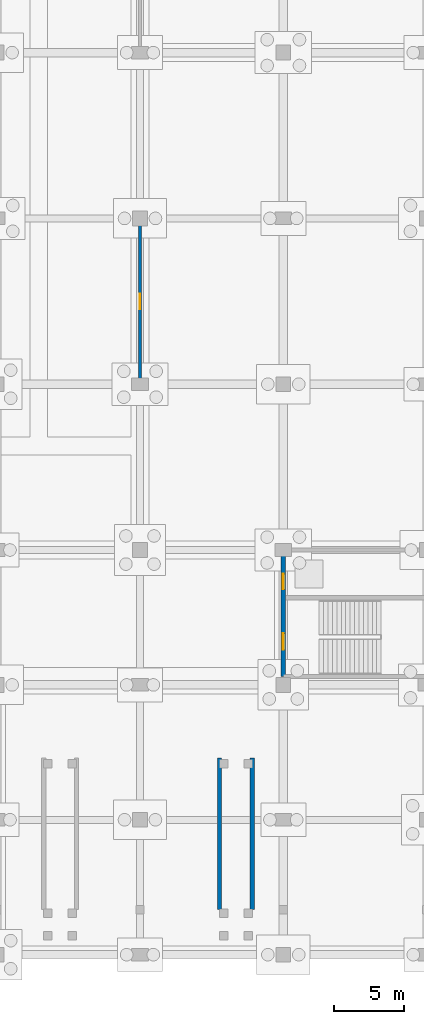
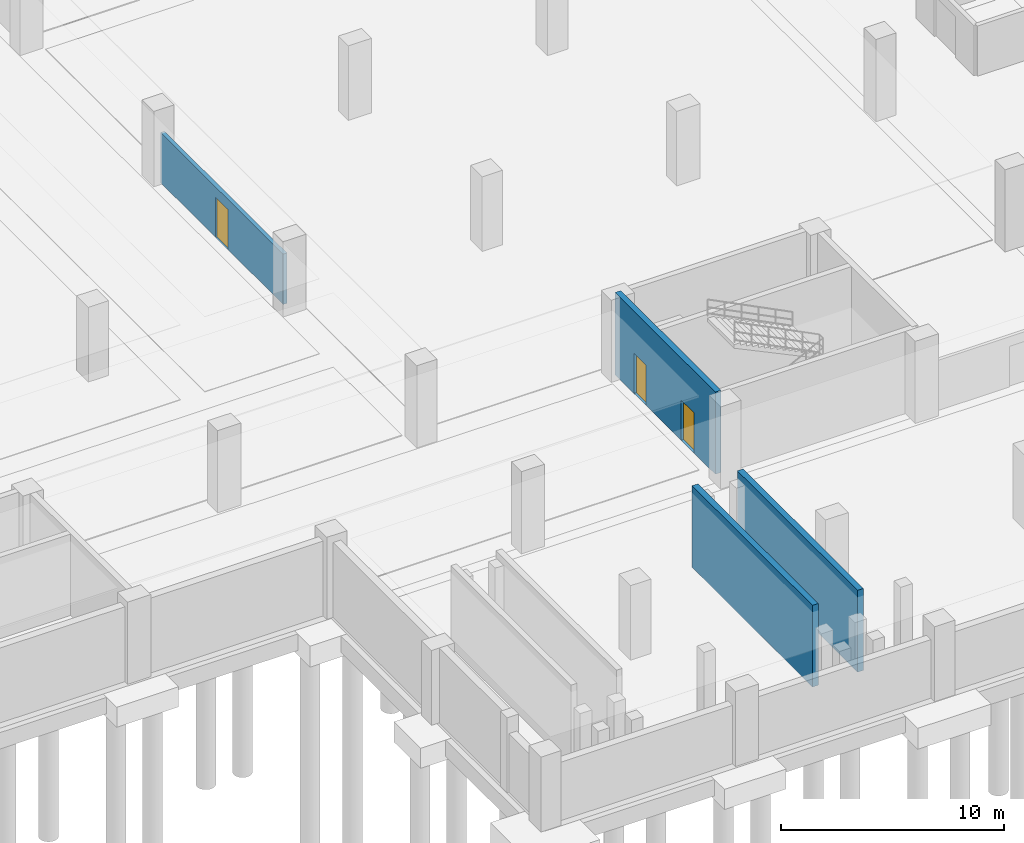
# One storey, part 30 of 52: 4 walls, 3 doors, 3 openings.
"""IFC4 building model written with IfcOpenShell, lengths in metres."""

from ifc_helpers import new_model, si_unit, direction, frame, frame_2d, origin, place, context, subcontext, project, spatial, rectangle, extrude, material, layer, layer_set, type_object, element, fill, save


model = new_model("IFC4")

# Units and contexts
model_context = context("Model", 3, precision=1e-05, world=origin(), true_north=direction((0.0, 1.0)))
body_context = subcontext(model_context, "Body", "Model", "MODEL_VIEW")
ifc_project = project(units=[si_unit("LENGTHUNIT", "METRE"), si_unit("AREAUNIT", "SQUARE_METRE"), si_unit("VOLUMEUNIT", "CUBIC_METRE"), si_unit("PLANEANGLEUNIT", "RADIAN"), si_unit("MASSUNIT", "GRAM", prefix="KILO")], contexts=[model_context])

# Site, building, storey
site_placement = place(None, origin())
site = spatial("IfcSite", under=ifc_project, at=site_placement, CompositionType="ELEMENT")
building_placement = place(site_placement, origin())
building = spatial("IfcBuilding", under=site, at=building_placement, Name="Brelvane Convention Centre", CompositionType="ELEMENT")
storey_placement = place(building_placement, frame((0.0, 0.0, -4.5)))
storey = spatial("IfcBuildingStorey", under=building, at=storey_placement, Name="B1", CompositionType="ELEMENT", Elevation=-4.5)

# Wall, opening, door
ifc_material_1 = material(Name="Fire-Rated Acoustic Gypsum Partition Board Grade A")
ifc_layer_1 = layer(ifc_material_1, 0.199951171875)
ifc_layer_set_1 = layer_set([ifc_layer_1], Name="Fire-Rated Acoustic Gypsum Partition Board Grade A")
wall_type_1 = type_object("IfcWallType", Name="Interior Wall IW-FR-200", PredefinedType="PARTITIONING", material=ifc_layer_set_1)
wall_1_placement = place(storey_placement, frame((112.199951171875, 41.0, 0.0), z_axis=(0.0, 0.0, 1.0), x_axis=(0.0, 1.0, 0.0)))
wall_1 = element("IfcWall", 1, at=wall_1_placement, inside=storey, type_object=wall_type_1, Name="Interior Partition B1-CRATE1", PredefinedType="PARTITIONING", context=body_context, shape_type="SweptSolid", body=[
    extrude(rectangle(XDim=11.0, YDim=0.199951171875, at=frame_2d((5.5, 0.0))), origin(), (0.0, 0.0, 1.0), 2.75),
])
opening_1_placement = place(wall_1_placement, frame((4.949951171875, 0.0, 0.0)))
opening_1 = element("IfcOpeningElement", 2, at=opening_1_placement, cuts=wall_1, Name="Opening DR-IN-02L", PredefinedType="OPENING", context=body_context, shape_type="SweptSolid", body=[
    extrude(rectangle(XDim=1.10009765625, YDim=2.199951171875, at=frame_2d((0.550048828125, 1.10009765625))), frame((0.0, 0.10986328125, 0.0), z_axis=(0.0, -1.0, 0.0), x_axis=(1.0, 0.0, 0.0)), (0.0, 0.0, 1.0), 0.219970703125),
])
ifc_material_2 = material(Name="Solid-Core Fire-Rated Hardwood Leaf Grade 1", Category="wood")
door_type_1 = type_object("IfcDoorType", Name="Interior Door DR-IN-02L", OperationType="NOTDEFINED", PredefinedType="DOOR", material=ifc_material_2)
door_1_placement = place(opening_1_placement, origin())
door_1 = element("IfcDoor", 3, at=door_1_placement, inside=storey, type_object=door_type_1, Name="Interior Door B1-CRATE1 (DR-IN-02L)", OperationType="SINGLE_SWING_LEFT", OverallHeight=2.199951171875, OverallWidth=1.10009765625, PredefinedType="DOOR", context=body_context, shape_type="SweptSolid", body=[
    extrude(rectangle(XDim=1.10009765625, YDim=2.199951171875, at=frame_2d((0.550048828125, 1.10009765625))), frame((0.0, 0.02490234375, 0.0), z_axis=(0.0, -1.0, 0.0), x_axis=(1.0, 0.0, 0.0)), (0.0, 0.0, 1.0), 0.050048828125),
])
fill(opening_1, door_1)

# Wall, openings, doors
ifc_material_3 = material(Name="Concrete M50", Category="concrete")
ifc_layer_2 = layer(ifc_material_3, 0.300048828125)
ifc_layer_set_2 = layer_set([ifc_layer_2], Name="Concrete M50")
wall_type_2 = type_object("IfcWallType", Name="Structural Wall WL-CORE-300", PredefinedType="SHEAR", material=ifc_layer_set_2)
wall_2_placement = place(storey_placement, frame((122.39990234375, 19.800048828125, 0.0), z_axis=(0.0, 0.0, 1.0), x_axis=(0.0, 1.0, 0.0)))
wall_2 = element("IfcWall", 4, at=wall_2_placement, inside=storey, type_object=wall_type_2, Name="Core C2 Shear Wall W (B1)", PredefinedType="SHEAR", context=body_context, shape_type="SweptSolid", body=[
    extrude(rectangle(XDim=9.0, YDim=0.300048828125, at=frame_2d((4.5, 0.0))), origin(), (0.0, 0.0, 1.0), 4.5),
])
opening_2_placement = place(wall_2_placement, frame((1.89990234375, 0.0, 0.0)))
opening_2 = element("IfcOpeningElement", 5, at=opening_2_placement, cuts=wall_2, Name="Opening DR-IN-04L", PredefinedType="OPENING", context=body_context, shape_type="SweptSolid", body=[
    extrude(rectangle(XDim=1.159912109375, YDim=2.199951171875, at=frame_2d((0.580078125, 1.10009765625))), frame((0.0, 0.159912109375, 0.0), z_axis=(0.0, -1.0, 0.0), x_axis=(1.0, 0.0, 0.0)), (0.0, 0.0, 1.0), 0.320068359375),
])
opening_3_placement = place(wall_2_placement, frame((6.199951171875, 0.0, 0.0)))
opening_3 = element("IfcOpeningElement", 6, at=opening_3_placement, cuts=wall_2, Name="Opening LD-02", PredefinedType="OPENING", context=body_context, shape_type="SweptSolid", body=[
    extrude(rectangle(XDim=1.10009765625, YDim=2.199951171875, at=frame_2d((0.550048828125, 1.10009765625))), frame((0.0, 0.159912109375, 0.0), z_axis=(0.0, -1.0, 0.0), x_axis=(1.0, 0.0, 0.0)), (0.0, 0.0, 1.0), 0.320068359375),
])
ifc_material_4 = material(Name="Galvanised Hollow-Metal Fire Door Steel E250", Category="steel")
door_type_2 = type_object("IfcDoorType", Name="Interior Door DR-IN-04L", OperationType="NOTDEFINED", PredefinedType="DOOR", material=ifc_material_4)
door_2_placement = place(opening_2_placement, origin())
door_2 = element("IfcDoor", 7, at=door_2_placement, inside=storey, type_object=door_type_2, Name="Stair ST-02 Door (B1)", OperationType="SINGLE_SWING_LEFT", OverallHeight=2.199951171875, OverallWidth=1.159912109375, PredefinedType="DOOR", context=body_context, shape_type="SweptSolid", body=[
    extrude(rectangle(XDim=1.159912109375, YDim=2.199951171875, at=frame_2d((0.580078125, 1.10009765625))), frame((0.0, 0.02490234375, 0.0), z_axis=(0.0, -1.0, 0.0), x_axis=(1.0, 0.0, 0.0)), (0.0, 0.0, 1.0), 0.050048828125),
])
fill(opening_2, door_2)
ifc_material_5 = material(Name="Galvanised Hollow-Metal Fire Door Steel E250", Category="steel")
door_type_3 = type_object("IfcDoorType", Name="Interior Door LD-02", OperationType="NOTDEFINED", PredefinedType="DOOR", material=ifc_material_5)
door_3_placement = place(opening_3_placement, origin())
door_3 = element("IfcDoor", 8, at=door_3_placement, inside=storey, type_object=door_type_3, Name="Lift LP-01 Landing Door (B1)", OperationType="SLIDING_TO_RIGHT", OverallHeight=2.199951171875, OverallWidth=1.10009765625, PredefinedType="DOOR", context=body_context, shape_type="SweptSolid", body=[
    extrude(rectangle(XDim=1.10009765625, YDim=2.199951171875, at=frame_2d((0.550048828125, 1.10009765625))), frame((0.0, 0.02490234375, 0.0), z_axis=(0.0, -1.0, 0.0), x_axis=(1.0, 0.0, 0.0)), (0.0, 0.0, 1.0), 0.050048828125),
])
fill(opening_3, door_3)

# Walls
for number, where, z_axis, x_axis, name in (
    (9, (117.85009765625, 3.199951171875, 0.0), (0.0, 0.0, 1.0), (0.0, 1.0, 0.0), "Plaza Ramp AR-02 Support Wall W"),
    (10, (120.18994140625, 3.199951171875, 0.0), (0.0, 0.0, 1.0), (0.0, 1.0, 0.0), "Plaza Ramp AR-02 Support Wall E"),
):
    element("IfcWall", number, at=place(storey_placement, frame(where, z_axis=z_axis, x_axis=x_axis)), inside=storey, type_object=wall_type_2, Name=name, PredefinedType="SHEAR", context=body_context, shape_type="SweptSolid", body=[
        extrude(rectangle(XDim=10.800048828125, YDim=0.300048828125, at=frame_2d((5.39990234375, 0.0))), origin(), (0.0, 0.0, 1.0), 4.47998046875),
    ])

save(model, "model.ifc")
